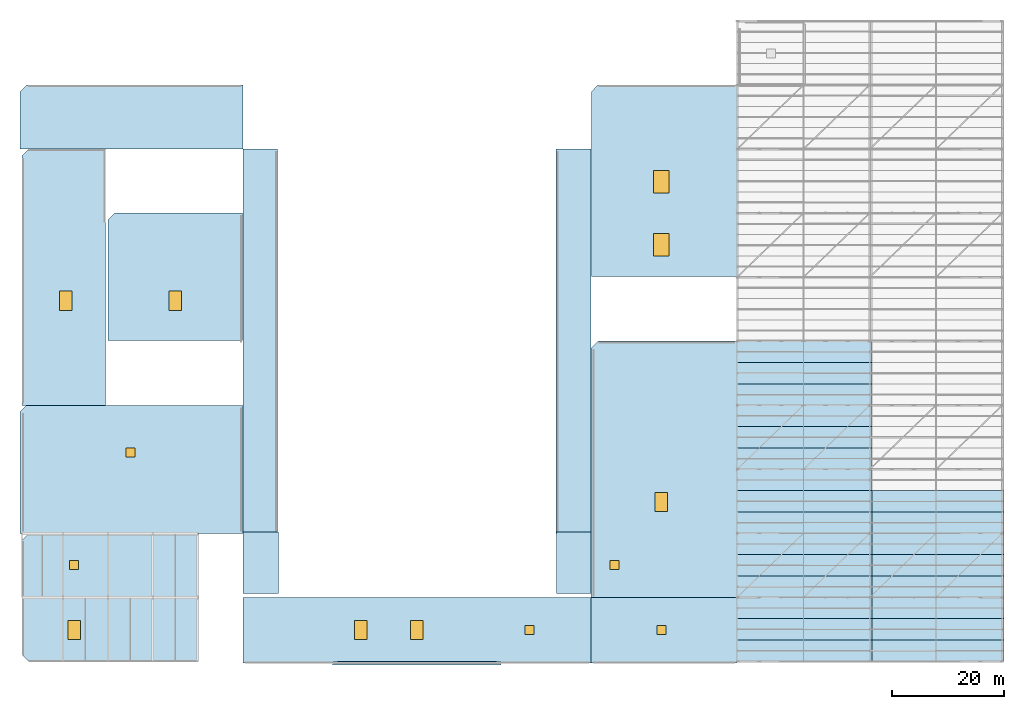
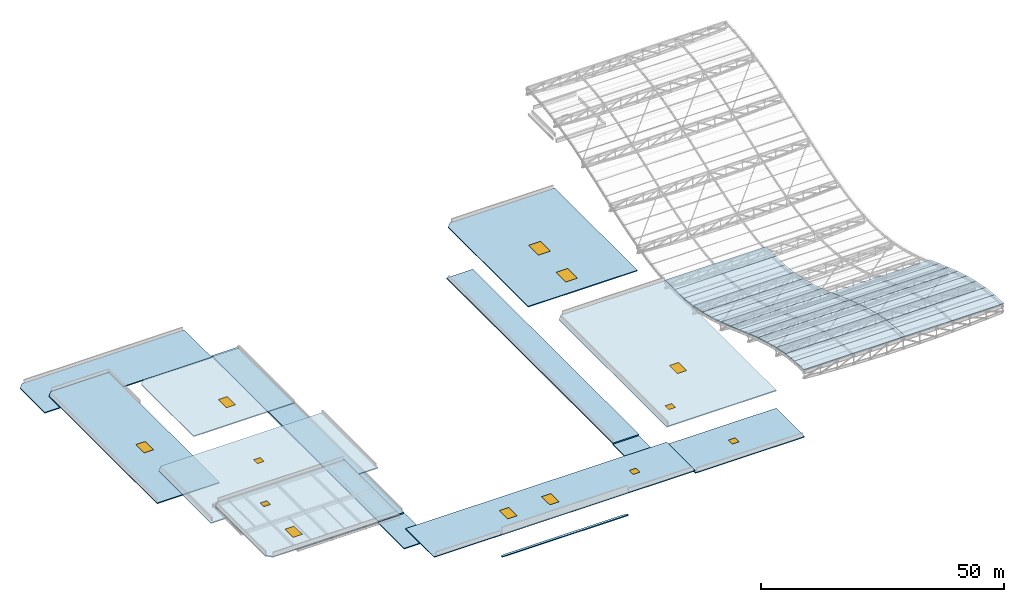
"""IFC4 building model written with IfcOpenShell, lengths in metres."""

from ifc_helpers import new_model, si_unit, direction, frame, origin, origin_2d, place, context, subcontext, project, spatial, polyline, rectangle, outline, extrude, material, layer, layer_set, type_object, element, fill, save


model = new_model("IFC4")

# Units and contexts
model_context = context("Model", 3, precision=1e-05, world=origin(), true_north=direction((0.0, 1.0)))
body_context = subcontext(model_context, "Body", "Model", "MODEL_VIEW")
ifc_project = project(units=[si_unit("LENGTHUNIT", "METRE"), si_unit("AREAUNIT", "SQUARE_METRE"), si_unit("VOLUMEUNIT", "CUBIC_METRE"), si_unit("PLANEANGLEUNIT", "RADIAN"), si_unit("MASSUNIT", "GRAM", prefix="KILO"), si_unit("POWERUNIT", "WATT"), si_unit("THERMODYNAMICTEMPERATUREUNIT", "KELVIN")], contexts=[model_context])

# Site, building, storey
site_placement = place(None, origin())
site = spatial("IfcSite", under=ifc_project, at=site_placement, CompositionType="ELEMENT")
building_placement = place(site_placement, origin())
building = spatial("IfcBuilding", under=site, at=building_placement, Name="Kelmbourne Parkland Aquatics Centre", CompositionType="ELEMENT")
storey_1_placement = place(building_placement, frame((0.0, 0.0, 27.0)))
storey_1 = spatial("IfcBuildingStorey", under=building, at=storey_1_placement, Name="RF", CompositionType="ELEMENT", Elevation=27.0)

# Slabs
ifc_material_1 = material(Name="Concrete C40/50", Category="concrete")
ifc_layer_1 = layer(ifc_material_1, 0.300048828125)
ifc_layer_set_1 = layer_set([ifc_layer_1], Name="Concrete C40/50")
slab_type_1 = type_object("IfcSlabType", Name="SL-CAN", PredefinedType="ROOF", material=ifc_layer_set_1)
slab_1_placement = place(storey_1_placement, frame((0.0, 0.0, -21.840087890625)))
element("IfcSlab", 1, at=slab_1_placement, inside=storey_1, type_object=slab_type_1, Name="Flat companion roof slab ROOF-V3-CANOPY", PredefinedType="ROOF", context=body_context, shape_type="SweptSolid", body=[
    extrude(outline(polyline([(56.0, 0.199951171875), (86.0, 0.199951171875), (86.0, 0.64990234375), (84.800048828125, 0.780029296875), (57.199951171875, 0.780029296875), (56.0, 0.64990234375), (56.0, 0.199951171875)])), origin(), (0.0, 0.0, 1.0), 0.239990234375),
])
slab_2_placement = place(storey_1_placement, frame((0.0, 0.0, -21.5)))
element("IfcSlab", 2, at=slab_2_placement, inside=storey_1, type_object=slab_type_1, Name="Flat companion roof slab ROOF-V6-WEST", PredefinedType="ROOF", context=body_context, shape_type="SweptSolid", body=[
    extrude(outline(polyline([(40.0, 23.60009765625), (46.199951171875, 23.60009765625), (46.199951171875, 92.0), (40.0, 92.0), (40.0, 23.60009765625)])), origin(), (0.0, 0.0, 1.0), 0.300048828125),
])
slab_3_placement = place(storey_1_placement, frame((0.0, 0.0, -21.5)))
element("IfcSlab", 3, at=slab_3_placement, inside=storey_1, type_object=slab_type_1, Name="Flat companion roof slab ROOF-V6-EAST", PredefinedType="ROOF", context=body_context, shape_type="SweptSolid", body=[
    extrude(outline(polyline([(95.800048828125, 23.60009765625), (102.0, 23.60009765625), (102.0, 92.0), (95.800048828125, 92.0), (95.800048828125, 23.60009765625)])), origin(), (0.0, 0.0, 1.0), 0.300048828125),
])
ifc_layer_2 = layer(ifc_material_1, 0.159912109375)
ifc_layer_set_2 = layer_set([ifc_layer_2], Name="Concrete C40/50")
slab_type_2 = type_object("IfcSlabType", Name="SL-RF1", PredefinedType="ROOF", material=ifc_layer_set_2)
slab_4_placement = place(storey_1_placement, frame((128.0, 0.800048828125, -0.199951171875), z_axis=(0.0, 0.040185951091, 0.999192218412), x_axis=(1.0, 0.0, 0.0)))
element("IfcSlab", 4, at=slab_4_placement, inside=storey_1, type_object=slab_type_2, Name="Natatorium wave roof deck facet S01-H1", PredefinedType="ROOF", context=body_context, shape_type="SweptSolid", body=[
    extrude(outline(polyline([(0.0, 0.0), (24.0, 0.0), (24.0, 3.803120919180744), (0.0, 3.803120919180744), (0.0, 0.0)])), origin(), (0.0, 0.0, -1.0), 0.159912109375),
])
slab_5_placement = place(storey_1_placement, frame((152.0, 0.800048828125, -0.199951171875), z_axis=(0.0, 0.040185951091, 0.999192218412), x_axis=(1.0, 0.0, 0.0)))
element("IfcSlab", 5, at=slab_5_placement, inside=storey_1, type_object=slab_type_2, Name="Natatorium wave roof deck facet S01-H2", PredefinedType="ROOF", context=body_context, shape_type="SweptSolid", body=[
    extrude(outline(polyline([(0.0, 0.0), (23.5, 0.0), (23.5, 3.803120919180744), (0.0, 3.803120919180744), (0.0, 0.0)])), origin(), (0.0, 0.0, -1.0), 0.159912109375),
])
slab_6_placement = place(storey_1_placement, frame((128.0, 4.60009765625, -0.352783203125), z_axis=(0.0, 0.117970231122, 0.993017132062), x_axis=(1.0, 0.0, 0.0)))
element("IfcSlab", 6, at=slab_6_placement, inside=storey_1, type_object=slab_type_2, Name="Natatorium wave roof deck facet S02-H1", PredefinedType="ROOF", context=body_context, shape_type="SweptSolid", body=[
    extrude(outline(polyline([(0.0, 0.0), (24.0, 0.0), (24.0, 3.8265248048731793), (0.0, 3.8265248048731793), (0.0, 0.0)])), origin(), (0.0, 0.0, -1.0), 0.159912109375),
])
slab_7_placement = place(storey_1_placement, frame((152.0, 4.60009765625, -0.352783203125), z_axis=(0.0, 0.117970231122, 0.993017132062), x_axis=(1.0, 0.0, 0.0)))
element("IfcSlab", 7, at=slab_7_placement, inside=storey_1, type_object=slab_type_2, Name="Natatorium wave roof deck facet S02-H2", PredefinedType="ROOF", context=body_context, shape_type="SweptSolid", body=[
    extrude(outline(polyline([(0.0, 0.0), (23.5, 0.0), (23.5, 3.826524804873179), (0.0, 3.826524804873179), (0.0, 0.0)])), origin(), (0.0, 0.0, -1.0), 0.159912109375),
])
slab_8_placement = place(storey_1_placement, frame((128.0, 8.39990234375, -0.80419921875), z_axis=(0.0, 0.187796398555, 0.982207978327), x_axis=(1.0, 0.0, 0.0)))
element("IfcSlab", 8, at=slab_8_placement, inside=storey_1, type_object=slab_type_2, Name="Natatorium wave roof deck facet S03-H1", PredefinedType="ROOF", context=body_context, shape_type="SweptSolid", body=[
    extrude(outline(polyline([(0.0, 0.0), (24.0, 0.0), (24.0, 3.868884097842741), (0.0, 3.868884097842741), (0.0, 0.0)])), origin(), (0.0, 0.0, -1.0), 0.159912109375),
])
slab_9_placement = place(storey_1_placement, frame((152.0, 8.39990234375, -0.80419921875), z_axis=(0.0, 0.187796398555, 0.982207978327), x_axis=(1.0, 0.0, 0.0)))
element("IfcSlab", 9, at=slab_9_placement, inside=storey_1, type_object=slab_type_2, Name="Natatorium wave roof deck facet S03-H2", PredefinedType="ROOF", context=body_context, shape_type="SweptSolid", body=[
    extrude(outline(polyline([(0.0, 0.0), (23.5, 0.0), (23.5, 3.868884097842741), (0.0, 3.868884097842741), (0.0, 0.0)])), origin(), (0.0, 0.0, -1.0), 0.159912109375),
])
slab_10_placement = place(storey_1_placement, frame((128.0, 12.199951171875, -1.53076171875), z_axis=(0.0, 0.246328396193, 0.96918642233), x_axis=(1.0, 0.0, 0.0)))
element("IfcSlab", 10, at=slab_10_placement, inside=storey_1, type_object=slab_type_2, Name="Natatorium wave roof deck facet S04-H1", PredefinedType="ROOF", context=body_context, shape_type="SweptSolid", body=[
    extrude(outline(polyline([(0.0, 0.0), (24.0, 0.0), (24.0, 3.920864696998837), (0.0, 3.920864696998837), (0.0, 0.0)])), origin(), (0.0, 0.0, -1.0), 0.159912109375),
])
slab_11_placement = place(storey_1_placement, frame((152.0, 12.199951171875, -1.53076171875), z_axis=(0.0, 0.246328396193, 0.96918642233), x_axis=(1.0, 0.0, 0.0)))
element("IfcSlab", 11, at=slab_11_placement, inside=storey_1, type_object=slab_type_2, Name="Natatorium wave roof deck facet S04-H2", PredefinedType="ROOF", context=body_context, shape_type="SweptSolid", body=[
    extrude(outline(polyline([(0.0, 0.0), (23.5, 0.0), (23.5, 3.920864696998837), (0.0, 3.920864696998837), (0.0, 0.0)])), origin(), (0.0, 0.0, -1.0), 0.159912109375),
])
slab_12_placement = place(storey_1_placement, frame((128.0, 16.0, -2.49658203125), z_axis=(0.0, 0.291208084294, 0.956659736605), x_axis=(1.0, 0.0, 0.0)))
element("IfcSlab", 12, at=slab_12_placement, inside=storey_1, type_object=slab_type_2, Name="Natatorium wave roof deck facet S05-H1", PredefinedType="ROOF", context=body_context, shape_type="SweptSolid", body=[
    extrude(outline(polyline([(0.0, 0.0), (24.0, 0.0), (24.0, 3.97220524991388), (0.0, 3.97220524991388), (0.0, 0.0)])), origin(), (0.0, 0.0, -1.0), 0.159912109375),
])
slab_13_placement = place(storey_1_placement, frame((152.0, 16.0, -2.49658203125), z_axis=(0.0, 0.291208084294, 0.956659736605), x_axis=(1.0, 0.0, 0.0)))
element("IfcSlab", 13, at=slab_13_placement, inside=storey_1, type_object=slab_type_2, Name="Natatorium wave roof deck facet S05-H2", PredefinedType="ROOF", context=body_context, shape_type="SweptSolid", body=[
    extrude(outline(polyline([(0.0, 0.0), (23.5, 0.0), (23.5, 3.9722052499138805), (0.0, 3.9722052499138805), (0.0, 0.0)])), origin(), (0.0, 0.0, -1.0), 0.159912109375),
])
slab_14_placement = place(storey_1_placement, frame((128.0, 19.800048828125, -3.6533203125), z_axis=(0.0, 0.321297319029, 0.946978369756), x_axis=(1.0, 0.0, 0.0)))
element("IfcSlab", 14, at=slab_14_placement, inside=storey_1, type_object=slab_type_2, Name="Natatorium wave roof deck facet S06-H1", PredefinedType="ROOF", context=body_context, shape_type="SweptSolid", body=[
    extrude(outline(polyline([(0.0, 0.0), (24.0, 0.0), (24.0, 4.0128148112881945), (0.0, 4.0128148112881945), (0.0, 0.0)])), origin(), (0.0, 0.0, -1.0), 0.159912109375),
])
slab_15_placement = place(storey_1_placement, frame((152.0, 19.800048828125, -3.6533203125), z_axis=(0.0, 0.321297319029, 0.946978369756), x_axis=(1.0, 0.0, 0.0)))
element("IfcSlab", 15, at=slab_15_placement, inside=storey_1, type_object=slab_type_2, Name="Natatorium wave roof deck facet S06-H2", PredefinedType="ROOF", context=body_context, shape_type="SweptSolid", body=[
    extrude(outline(polyline([(0.0, 0.0), (23.5, 0.0), (23.5, 4.0128148112881945), (0.0, 4.0128148112881945), (0.0, 0.0)])), origin(), (0.0, 0.0, -1.0), 0.159912109375),
])
slab_16_placement = place(storey_1_placement, frame((128.0, 23.60009765625, -4.942626953125), z_axis=(0.0, 0.336413055, 0.941714530219), x_axis=(1.0, 0.0, 0.0)))
element("IfcSlab", 16, at=slab_16_placement, inside=storey_1, type_object=slab_type_2, Name="Natatorium wave roof deck facet S07-H1", PredefinedType="ROOF", context=body_context, shape_type="SweptSolid", body=[
    extrude(outline(polyline([(0.0, 0.0), (24.0, 0.0), (24.0, 4.034985726105544), (0.0, 4.034985726105544), (0.0, 0.0)])), origin(), (0.0, 0.0, -1.0), 0.159912109375),
])
slab_17_placement = place(storey_1_placement, frame((152.0, 23.60009765625, -4.942626953125), z_axis=(0.0, 0.336413055, 0.941714530219), x_axis=(1.0, 0.0, 0.0)))
element("IfcSlab", 17, at=slab_17_placement, inside=storey_1, type_object=slab_type_2, Name="Natatorium wave roof deck facet S07-H2", PredefinedType="ROOF", context=body_context, shape_type="SweptSolid", body=[
    extrude(outline(polyline([(0.0, 0.0), (23.5, 0.0), (23.5, 4.034985726105544), (0.0, 4.034985726105544), (0.0, 0.0)])), origin(), (0.0, 0.0, -1.0), 0.159912109375),
])
slab_18_placement = place(storey_1_placement, frame((128.0, 27.39990234375, -6.300048828125), z_axis=(0.0, 0.336393887433, 0.941721377318), x_axis=(1.0, 0.0, 0.0)))
element("IfcSlab", 18, at=slab_18_placement, inside=storey_1, type_object=slab_type_2, Name="Natatorium wave roof deck facet S08-H1", PredefinedType="ROOF", context=body_context, shape_type="SweptSolid", body=[
    extrude(outline(polyline([(0.0, 0.0), (24.0, 0.0), (24.0, 4.035215637715375), (0.0, 4.035215637715375), (0.0, 0.0)])), origin(), (0.0, 0.0, -1.0), 0.159912109375),
])
slab_19_placement = place(storey_1_placement, frame((152.0, 27.39990234375, -6.300048828125), z_axis=(0.0, 0.336393887433, 0.941721377318), x_axis=(1.0, 0.0, 0.0)))
element("IfcSlab", 19, at=slab_19_placement, inside=storey_1, type_object=slab_type_2, Name="Natatorium wave roof deck facet S08-H2", PredefinedType="ROOF", context=body_context, shape_type="SweptSolid", body=[
    extrude(outline(polyline([(0.0, 0.0), (23.5, 0.0), (23.5, 4.035215637715376), (0.0, 4.035215637715376), (0.0, 0.0)])), origin(), (0.0, 0.0, -1.0), 0.159912109375),
])
slab_20_placement = place(storey_1_placement, frame((128.0, 31.199951171875, -7.657470703125), z_axis=(0.0, 0.321297319029, 0.946978369756), x_axis=(1.0, 0.0, 0.0)))
element("IfcSlab", 20, at=slab_20_placement, inside=storey_1, type_object=slab_type_2, Name="Natatorium wave roof deck facet S09-H1", PredefinedType="ROOF", context=body_context, shape_type="SweptSolid", body=[
    extrude(outline(polyline([(0.0, 0.0), (24.0, 0.0), (24.0, 4.0128148112881945), (0.0, 4.0128148112881945), (0.0, 0.0)])), origin(), (0.0, 0.0, -1.0), 0.159912109375),
])
slab_21_placement = place(storey_1_placement, frame((128.0, 35.0, -8.94677734375), z_axis=(0.0, 0.291151832676, 0.956676857842), x_axis=(1.0, 0.0, 0.0)))
element("IfcSlab", 21, at=slab_21_placement, inside=storey_1, type_object=slab_type_2, Name="Natatorium wave roof deck facet S10-H1", PredefinedType="ROOF", context=body_context, shape_type="SweptSolid", body=[
    extrude(outline(polyline([(0.0, 0.0), (24.0, 0.0), (24.0, 3.9721341610567666), (0.0, 3.9721341610567666), (0.0, 0.0)])), origin(), (0.0, 0.0, -1.0), 0.159912109375),
])
slab_22_placement = place(storey_1_placement, frame((128.0, 38.800048828125, -10.103271484375), z_axis=(0.0, 0.246328396193, 0.96918642233), x_axis=(1.0, 0.0, 0.0)))
element("IfcSlab", 22, at=slab_22_placement, inside=storey_1, type_object=slab_type_2, Name="Natatorium wave roof deck facet S11-H1", PredefinedType="ROOF", context=body_context, shape_type="SweptSolid", body=[
    extrude(outline(polyline([(0.0, 0.0), (24.0, 0.0), (24.0, 3.920864696998837), (0.0, 3.920864696998837), (0.0, 0.0)])), origin(), (0.0, 0.0, -1.0), 0.159912109375),
])
slab_23_placement = place(storey_1_placement, frame((128.0, 42.60009765625, -11.069091796875), z_axis=(0.0, 0.187868919588, 0.982194109661), x_axis=(1.0, 0.0, 0.0)))
element("IfcSlab", 23, at=slab_23_placement, inside=storey_1, type_object=slab_type_2, Name="Natatorium wave roof deck facet S12-H1", PredefinedType="ROOF", context=body_context, shape_type="SweptSolid", body=[
    extrude(outline(polyline([(0.0, 0.0), (24.0, 0.0), (24.0, 3.8686901602485007), (0.0, 3.8686901602485007), (0.0, 0.0)])), origin(), (0.0, 0.0, -1.0), 0.159912109375),
])
slab_24_placement = place(storey_1_placement, frame((128.0, 46.39990234375, -11.7958984375), z_axis=(0.0, 0.117899846309, 0.993025491234), x_axis=(1.0, 0.0, 0.0)))
element("IfcSlab", 24, at=slab_24_placement, inside=storey_1, type_object=slab_type_2, Name="Natatorium wave roof deck facet S13-H1", PredefinedType="ROOF", context=body_context, shape_type="SweptSolid", body=[
    extrude(outline(polyline([(0.0, 0.0), (24.0, 0.0), (24.0, 3.8267384489830505), (0.0, 3.8267384489830505), (0.0, 0.0)])), origin(), (0.0, 0.0, -1.0), 0.159912109375),
])
slab_25_placement = place(storey_1_placement, frame((128.0, 50.199951171875, -12.2470703125), z_axis=(0.0, 0.040185951091, 0.999192218412), x_axis=(1.0, 0.0, 0.0)))
element("IfcSlab", 25, at=slab_25_placement, inside=storey_1, type_object=slab_type_2, Name="Natatorium wave roof deck facet S14-H1", PredefinedType="ROOF", context=body_context, shape_type="SweptSolid", body=[
    extrude(outline(polyline([(0.0, 0.0), (24.0, 0.0), (24.0, 3.803120919180744), (0.0, 3.803120919180744), (0.0, 0.0)])), origin(), (0.0, 0.0, -1.0), 0.159912109375),
])
slab_26_placement = place(storey_1_placement, frame((128.0, 54.0, -12.39990234375), z_axis=(0.0, -0.035826647923, 0.99935801958), x_axis=(1.0, 0.0, 0.0)))
element("IfcSlab", 26, at=slab_26_placement, inside=storey_1, type_object=slab_type_2, Name="Natatorium wave roof deck facet S15-H1", PredefinedType="ROOF", context=body_context, shape_type="SweptSolid", body=[
    extrude(outline(polyline([(0.0, 0.0), (24.0, 0.0), (24.0, 3.8024899522221003), (0.0, 3.8024899522221003), (0.0, 0.0)])), origin(), (0.0, 0.0, -1.0), 0.159912109375),
])
ifc_layer_3 = layer(ifc_material_1, 0.239990234375)
ifc_layer_set_3 = layer_set([ifc_layer_3], Name="Concrete C40/50")
slab_type_3 = type_object("IfcSlabType", Name="SL-RF2", PredefinedType="ROOF", material=ifc_layer_set_3)
slab_27_placement = place(storey_1_placement, frame((0.0, 0.0, -21.840087890625)))
element("IfcSlab", 27, at=slab_27_placement, inside=storey_1, type_object=slab_type_3, Name="Flat companion roof slab ROOF-V3-FOREW", PredefinedType="ROOF", context=body_context, shape_type="SweptSolid", body=[
    extrude(outline(polyline([(40.0, 12.85009765625), (46.39990234375, 12.85009765625), (46.39990234375, 23.800048828125), (40.0, 23.800048828125), (40.0, 12.85009765625)])), origin(), (0.0, 0.0, 1.0), 0.239990234375),
])
slab_28_placement = place(storey_1_placement, frame((0.0, 0.0, -21.840087890625)))
element("IfcSlab", 28, at=slab_28_placement, inside=storey_1, type_object=slab_type_3, Name="Flat companion roof slab ROOF-V3-FOREE", PredefinedType="ROOF", context=body_context, shape_type="SweptSolid", body=[
    extrude(outline(polyline([(95.85009765625, 12.85009765625), (102.0, 12.85009765625), (102.0, 23.800048828125), (95.85009765625, 23.800048828125), (95.85009765625, 12.85009765625)])), origin(), (0.0, 0.0, 1.0), 0.239990234375),
])
slab_29_placement = place(storey_1_placement, frame((0.0, 0.0, -21.840087890625)))
element("IfcSlab", 29, at=slab_29_placement, inside=storey_1, type_object=slab_type_3, Name="Flat companion roof slab ROOF-V5-N0", PredefinedType="ROOF", context=body_context, shape_type="SweptSolid", body=[
    extrude(outline(polyline([(0.35009765625, 92.0), (40.0, 92.0), (40.0, 103.39990234375), (1.550048828125, 103.39990234375), (0.35009765625, 102.199951171875), (0.35009765625, 92.0)])), origin(), (0.0, 0.0, 1.0), 0.239990234375),
])

# Slab, opening
slab_30_placement = place(storey_1_placement, frame((0.0, 0.0, -17.0400390625)))
slab_30 = element("IfcSlab", 30, at=slab_30_placement, inside=storey_1, type_object=slab_type_3, Name="Flat companion roof slab ROOF-V5-W1", PredefinedType="ROOF", context=body_context, shape_type="SweptSolid", body=[
    extrude(outline(polyline([(0.699951171875, 46.39990234375), (15.550048828125, 46.39990234375), (15.550048828125, 92.0), (1.85009765625, 92.0), (0.699951171875, 90.85009765625), (0.699951171875, 46.39990234375)])), origin(), (0.0, 0.0, 1.0), 0.239990234375),
])
opening_1_placement = place(slab_30_placement, frame((8.5, 65.0, 0.0)))
opening_1 = element("IfcOpeningElement", 31, at=opening_1_placement, cuts=slab_30, Name="Opening SKY1", PredefinedType="OPENING", context=body_context, shape_type="SweptSolid", body=[
    extrude(rectangle(XDim=2.199951171875, YDim=3.39990234375, at=origin_2d()), frame((0.0, 0.0, -0.011962890625)), (0.0, 0.0, 1.0), 0.263916015625),
])

# Storey
storey_2_placement = place(building_placement, frame((0.0, 0.0, 5.39990234375)))
storey_2 = spatial("IfcBuildingStorey", under=building, at=storey_2_placement, Name="L01", CompositionType="ELEMENT", Elevation=5.39990234375)

# Window
ifc_material_2 = material(Name="Double-glazed low-e laminated safety glass", Category="glass")
ifc_layer_4 = layer(ifc_material_2, 0.1201171875)
ifc_layer_set_4 = layer_set([ifc_layer_4], Name="Double-glazed low-e laminated safety glass")
window_type_1 = type_object("IfcWindowType", Name="WN-SKY-1", PartitioningType="SINGLE_PANEL", PredefinedType="SKYLIGHT", material=ifc_layer_set_4)
window_1_placement = place(opening_1_placement, frame((0.0, 0.0, 0.18994140625)))
window_1 = element("IfcWindow", 32, at=window_1_placement, inside=storey_2, type_object=window_type_1, Name="Roof skylight SKY-08", OverallHeight=3.39990234375, OverallWidth=2.199951171875, PartitioningType="SINGLE_PANEL", PredefinedType="SKYLIGHT", context=body_context, shape_type="SweptSolid", body=[
    extrude(rectangle(XDim=2.199951171875, YDim=3.39990234375, at=origin_2d()), origin(), (0.0, 0.0, 1.0), 0.050048828125),
])

fill(opening_1, window_1)

# Slab, openings, windows
slab_31_placement = place(storey_1_placement, frame((0.0, 0.0, -16.43994140625)))
slab_31 = element("IfcSlab", 33, at=slab_31_placement, inside=storey_1, type_object=slab_type_3, Name="Flat companion roof slab ROOF-V3-MAIN", PredefinedType="ROOF", context=body_context, shape_type="SweptSolid", body=[
    extrude(outline(polyline([(40.0, 0.5), (102.0, 0.5), (102.0, 12.199951171875), (40.0, 12.199951171875), (40.0, 0.5)])), origin(), (0.0, 0.0, 1.0), 0.239990234375),
])
opening_2_placement = place(slab_31_placement, frame((61.0, 6.39990234375, 0.0)))
opening_2 = element("IfcOpeningElement", 34, at=opening_2_placement, cuts=slab_31, Name="Opening SKY1", PredefinedType="OPENING", context=body_context, shape_type="SweptSolid", body=[
    extrude(rectangle(XDim=2.199951171875, YDim=3.39990234375, at=origin_2d()), frame((0.0, 0.0, -0.011962890625)), (0.0, 0.0, 1.0), 0.263916015625),
])
opening_3_placement = place(slab_31_placement, frame((71.0, 6.39990234375, 0.0)))
opening_3 = element("IfcOpeningElement", 35, at=opening_3_placement, cuts=slab_31, Name="Opening SKY1", PredefinedType="OPENING", context=body_context, shape_type="SweptSolid", body=[
    extrude(rectangle(XDim=2.199951171875, YDim=3.39990234375, at=origin_2d()), frame((0.0, 0.0, -0.011962890625)), (0.0, 0.0, 1.0), 0.263916015625),
])
opening_4_placement = place(slab_31_placement, frame((91.0, 6.39990234375, 0.0)))
opening_4 = element("IfcOpeningElement", 36, at=opening_4_placement, cuts=slab_31, Name="Opening LDM1", PredefinedType="OPENING", context=body_context, shape_type="SweptSolid", body=[
    extrude(rectangle(XDim=1.60009765625, YDim=1.60009765625, at=origin_2d()), frame((0.0, 0.0, -0.011962890625)), (0.0, 0.0, 1.0), 0.263916015625),
])
ifc_layer_5 = layer(ifc_material_2, 0.139892578125)
ifc_layer_set_5 = layer_set([ifc_layer_5], Name="Double-glazed low-e laminated safety glass")
window_type_2 = type_object("IfcWindowType", Name="WN-DOME-1", PartitioningType="SINGLE_PANEL", PredefinedType="LIGHTDOME", material=ifc_layer_set_5)
window_2_placement = place(opening_4_placement, frame((0.0, 0.0, 0.18994140625)))
window_2 = element("IfcWindow", 37, at=window_2_placement, inside=storey_2, type_object=window_type_2, Name="Roof lightdome LDM-01", OverallHeight=1.60009765625, OverallWidth=1.60009765625, PartitioningType="SINGLE_PANEL", PredefinedType="LIGHTDOME", context=body_context, shape_type="SweptSolid", body=[
    extrude(rectangle(XDim=1.60009765625, YDim=1.60009765625, at=origin_2d()), origin(), (0.0, 0.0, 1.0), 0.050048828125),
])
fill(opening_4, window_2)
window_3_placement = place(opening_2_placement, frame((0.0, 0.0, 0.18994140625)))
window_3 = element("IfcWindow", 38, at=window_3_placement, inside=storey_2, type_object=window_type_1, Name="Roof skylight SKY-01", OverallHeight=3.39990234375, OverallWidth=2.199951171875, PartitioningType="SINGLE_PANEL", PredefinedType="SKYLIGHT", context=body_context, shape_type="SweptSolid", body=[
    extrude(rectangle(XDim=2.199951171875, YDim=3.39990234375, at=origin_2d()), origin(), (0.0, 0.0, 1.0), 0.050048828125),
])
fill(opening_2, window_3)
window_4_placement = place(opening_3_placement, frame((0.0, 0.0, 0.18994140625)))
window_4 = element("IfcWindow", 39, at=window_4_placement, inside=storey_2, type_object=window_type_1, Name="Roof skylight SKY-02", OverallHeight=3.39990234375, OverallWidth=2.199951171875, PartitioningType="SINGLE_PANEL", PredefinedType="SKYLIGHT", context=body_context, shape_type="SweptSolid", body=[
    extrude(rectangle(XDim=2.199951171875, YDim=3.39990234375, at=origin_2d()), origin(), (0.0, 0.0, 1.0), 0.050048828125),
])
fill(opening_3, window_4)

# Slab, opening
slab_32_placement = place(storey_1_placement, frame((0.0, 0.0, -17.0400390625)))
slab_32 = element("IfcSlab", 40, at=slab_32_placement, inside=storey_1, type_object=slab_type_3, Name="Flat companion roof slab ROOF-V4-SOUTH", PredefinedType="ROOF", context=body_context, shape_type="SweptSolid", body=[
    extrude(outline(polyline([(102.0, 0.5), (128.0, 0.5), (128.0, 12.199951171875), (102.0, 12.199951171875), (102.0, 0.5)])), origin(), (0.0, 0.0, 1.0), 0.239990234375),
])
opening_5_placement = place(slab_32_placement, frame((114.5, 6.39990234375, 0.0)))
opening_5 = element("IfcOpeningElement", 41, at=opening_5_placement, cuts=slab_32, Name="Opening LDM1", PredefinedType="OPENING", context=body_context, shape_type="SweptSolid", body=[
    extrude(rectangle(XDim=1.60009765625, YDim=1.60009765625, at=origin_2d()), frame((0.0, 0.0, -0.011962890625)), (0.0, 0.0, 1.0), 0.263916015625),
])

# Storey
storey_3_placement = place(building_placement, origin())
storey_3 = spatial("IfcBuildingStorey", under=building, at=storey_3_placement, Name="L00", CompositionType="ELEMENT", Elevation=0.0)

# Window
window_5_placement = place(opening_5_placement, frame((0.0, 0.0, 0.18994140625)))
window_5 = element("IfcWindow", 42, at=window_5_placement, inside=storey_3, type_object=window_type_2, Name="Roof lightdome LDM-02", OverallHeight=1.60009765625, OverallWidth=1.60009765625, PartitioningType="SINGLE_PANEL", PredefinedType="LIGHTDOME", context=body_context, shape_type="SweptSolid", body=[
    extrude(rectangle(XDim=1.60009765625, YDim=1.60009765625, at=origin_2d()), origin(), (0.0, 0.0, 1.0), 0.050048828125),
])

fill(opening_5, window_5)

# Slab, openings, windows
slab_33_placement = place(storey_1_placement, frame((0.0, 0.0, -17.0400390625)))
slab_33 = element("IfcSlab", 43, at=slab_33_placement, inside=storey_1, type_object=slab_type_3, Name="Flat companion roof slab ROOF-V4-NORTH", PredefinedType="ROOF", context=body_context, shape_type="SweptSolid", body=[
    extrude(outline(polyline([(102.050048828125, 69.300048828125), (128.0, 69.300048828125), (128.0, 103.39990234375), (103.199951171875, 103.39990234375), (102.050048828125, 102.199951171875), (102.050048828125, 69.300048828125)])), origin(), (0.0, 0.0, 1.0), 0.239990234375),
])
opening_6_placement = place(slab_33_placement, frame((114.5, 75.0, 0.0)))
opening_6 = element("IfcOpeningElement", 44, at=opening_6_placement, cuts=slab_33, Name="Opening SKY2", PredefinedType="OPENING", context=body_context, shape_type="SweptSolid", body=[
    extrude(rectangle(XDim=2.800048828125, YDim=4.0, at=origin_2d()), frame((0.0, 0.0, -0.011962890625)), (0.0, 0.0, 1.0), 0.263916015625),
])
opening_7_placement = place(slab_33_placement, frame((114.5, 86.199951171875, 0.0)))
opening_7 = element("IfcOpeningElement", 45, at=opening_7_placement, cuts=slab_33, Name="Opening SKY2", PredefinedType="OPENING", context=body_context, shape_type="SweptSolid", body=[
    extrude(rectangle(XDim=2.800048828125, YDim=4.0, at=origin_2d()), frame((0.0, 0.0, -0.011962890625)), (0.0, 0.0, 1.0), 0.263916015625),
])
ifc_layer_6 = layer(ifc_material_2, 0.1201171875)
ifc_layer_set_6 = layer_set([ifc_layer_6], Name="Double-glazed low-e laminated safety glass")
window_type_3 = type_object("IfcWindowType", Name="WN-SKY-2", PartitioningType="SINGLE_PANEL", PredefinedType="SKYLIGHT", material=ifc_layer_set_6)
window_6_placement = place(opening_6_placement, frame((0.0, 0.0, 0.18994140625)))
window_6 = element("IfcWindow", 46, at=window_6_placement, inside=storey_2, type_object=window_type_3, Name="Roof skylight SKY-03", OverallHeight=4.0, OverallWidth=2.800048828125, PartitioningType="SINGLE_PANEL", PredefinedType="SKYLIGHT", context=body_context, shape_type="SweptSolid", body=[
    extrude(rectangle(XDim=2.800048828125, YDim=4.0, at=origin_2d()), origin(), (0.0, 0.0, 1.0), 0.050048828125),
])
fill(opening_6, window_6)
window_7_placement = place(opening_7_placement, frame((0.0, 0.0, 0.18994140625)))
window_7 = element("IfcWindow", 47, at=window_7_placement, inside=storey_2, type_object=window_type_3, Name="Roof skylight SKY-04", OverallHeight=4.0, OverallWidth=2.800048828125, PartitioningType="SINGLE_PANEL", PredefinedType="SKYLIGHT", context=body_context, shape_type="SweptSolid", body=[
    extrude(rectangle(XDim=2.800048828125, YDim=4.0, at=origin_2d()), origin(), (0.0, 0.0, 1.0), 0.050048828125),
])
fill(opening_7, window_7)

# Slab, openings
slab_34_placement = place(storey_1_placement, frame((0.0, 0.0, -12.5400390625)))
slab_34 = element("IfcSlab", 48, at=slab_34_placement, inside=storey_1, type_object=slab_type_3, Name="Flat companion roof slab ROOF-V4-CLUB", PredefinedType="ROOF", context=body_context, shape_type="SweptSolid", body=[
    extrude(outline(polyline([(102.0, 12.199951171875), (128.0, 12.199951171875), (128.0, 57.800048828125), (103.199951171875, 57.800048828125), (102.0, 56.60009765625), (102.0, 12.199951171875)])), origin(), (0.0, 0.0, 1.0), 0.239990234375),
])
opening_8_placement = place(slab_34_placement, frame((114.5, 29.199951171875, 0.0)))
opening_8 = element("IfcOpeningElement", 49, at=opening_8_placement, cuts=slab_34, Name="Opening SKY1", PredefinedType="OPENING", context=body_context, shape_type="SweptSolid", body=[
    extrude(rectangle(XDim=2.199951171875, YDim=3.39990234375, at=origin_2d()), frame((0.0, 0.0, -0.011962890625)), (0.0, 0.0, 1.0), 0.263916015625),
])
opening_9_placement = place(slab_34_placement, frame((106.199951171875, 18.0, 0.0)))
opening_9 = element("IfcOpeningElement", 50, at=opening_9_placement, cuts=slab_34, Name="Opening LDM1", PredefinedType="OPENING", context=body_context, shape_type="SweptSolid", body=[
    extrude(rectangle(XDim=1.60009765625, YDim=1.60009765625, at=origin_2d()), frame((0.0, 0.0, -0.011962890625)), (0.0, 0.0, 1.0), 0.263916015625),
])

# Storey
storey_4_placement = place(building_placement, frame((0.0, 0.0, 10.199951171875)))
storey_4 = spatial("IfcBuildingStorey", under=building, at=storey_4_placement, Name="L02", CompositionType="ELEMENT", Elevation=10.199951171875)

# Window
window_8_placement = place(opening_9_placement, frame((0.0, 0.0, 0.18994140625)))
window_8 = element("IfcWindow", 51, at=window_8_placement, inside=storey_4, type_object=window_type_2, Name="Roof lightdome LDM-03", OverallHeight=1.60009765625, OverallWidth=1.60009765625, PartitioningType="SINGLE_PANEL", PredefinedType="LIGHTDOME", context=body_context, shape_type="SweptSolid", body=[
    extrude(rectangle(XDim=1.60009765625, YDim=1.60009765625, at=origin_2d()), origin(), (0.0, 0.0, 1.0), 0.050048828125),
])

fill(opening_9, window_8)

window_9_placement = place(opening_8_placement, frame((0.0, 0.0, 0.18994140625)))
window_9 = element("IfcWindow", 52, at=window_9_placement, inside=storey_4, type_object=window_type_1, Name="Roof skylight SKY-05", OverallHeight=3.39990234375, OverallWidth=2.199951171875, PartitioningType="SINGLE_PANEL", PredefinedType="SKYLIGHT", context=body_context, shape_type="SweptSolid", body=[
    extrude(rectangle(XDim=2.199951171875, YDim=3.39990234375, at=origin_2d()), origin(), (0.0, 0.0, 1.0), 0.050048828125),
])

fill(opening_8, window_9)

# Slab, opening, window
slab_35_placement = place(storey_1_placement, frame((0.0, 0.0, -12.5400390625)))
slab_35 = element("IfcSlab", 53, at=slab_35_placement, inside=storey_1, type_object=slab_type_3, Name="Flat companion roof slab ROOF-V5-M2", PredefinedType="ROOF", context=body_context, shape_type="SweptSolid", body=[
    extrude(outline(polyline([(16.0, 57.89990234375), (39.949951171875, 57.89990234375), (39.949951171875, 80.60009765625), (17.199951171875, 80.60009765625), (16.0, 79.39990234375), (16.0, 57.89990234375)])), origin(), (0.0, 0.0, 1.0), 0.239990234375),
])
opening_10_placement = place(slab_35_placement, frame((28.0, 65.0, 0.0)))
opening_10 = element("IfcOpeningElement", 54, at=opening_10_placement, cuts=slab_35, Name="Opening SKY1", PredefinedType="OPENING", context=body_context, shape_type="SweptSolid", body=[
    extrude(rectangle(XDim=2.199951171875, YDim=3.39990234375, at=origin_2d()), frame((0.0, 0.0, -0.011962890625)), (0.0, 0.0, 1.0), 0.263916015625),
])
window_10_placement = place(opening_10_placement, frame((0.0, 0.0, 0.18994140625)))
window_10 = element("IfcWindow", 55, at=window_10_placement, inside=storey_4, type_object=window_type_1, Name="Roof skylight SKY-07", OverallHeight=3.39990234375, OverallWidth=2.199951171875, PartitioningType="SINGLE_PANEL", PredefinedType="SKYLIGHT", context=body_context, shape_type="SweptSolid", body=[
    extrude(rectangle(XDim=2.199951171875, YDim=3.39990234375, at=origin_2d()), origin(), (0.0, 0.0, 1.0), 0.050048828125),
])
fill(opening_10, window_10)

# Slab, opening
slab_36_placement = place(storey_1_placement, frame((0.0, 0.0, -8.0400390625)))
slab_36 = element("IfcSlab", 56, at=slab_36_placement, inside=storey_1, type_object=slab_type_3, Name="Flat companion roof slab ROOF-V5-M3", PredefinedType="ROOF", context=body_context, shape_type="SweptSolid", body=[
    extrude(outline(polyline([(0.35009765625, 23.60009765625), (40.0, 23.60009765625), (40.0, 46.39990234375), (1.550048828125, 46.39990234375), (0.35009765625, 45.199951171875), (0.35009765625, 23.60009765625)])), origin(), (0.0, 0.0, 1.0), 0.239990234375),
])
opening_11_placement = place(slab_36_placement, frame((20.0, 38.0, 0.0)))
opening_11 = element("IfcOpeningElement", 57, at=opening_11_placement, cuts=slab_36, Name="Opening LDM1", PredefinedType="OPENING", context=body_context, shape_type="SweptSolid", body=[
    extrude(rectangle(XDim=1.60009765625, YDim=1.60009765625, at=origin_2d()), frame((0.0, 0.0, -0.011962890625)), (0.0, 0.0, 1.0), 0.263916015625),
])

# Storey
storey_5_placement = place(building_placement, frame((0.0, 0.0, 14.699951171875)))
storey_5 = spatial("IfcBuildingStorey", under=building, at=storey_5_placement, Name="L03", CompositionType="ELEMENT", Elevation=14.699951171875)

# Window
window_11_placement = place(opening_11_placement, frame((0.0, 0.0, 0.18994140625)))
window_11 = element("IfcWindow", 58, at=window_11_placement, inside=storey_5, type_object=window_type_2, Name="Roof lightdome LDM-04", OverallHeight=1.60009765625, OverallWidth=1.60009765625, PartitioningType="SINGLE_PANEL", PredefinedType="LIGHTDOME", context=body_context, shape_type="SweptSolid", body=[
    extrude(rectangle(XDim=1.60009765625, YDim=1.60009765625, at=origin_2d()), origin(), (0.0, 0.0, 1.0), 0.050048828125),
])

fill(opening_11, window_11)

# Slab, openings
slab_37_placement = place(storey_1_placement, frame((0.0, 0.0, -3.239990234375)))
slab_37 = element("IfcSlab", 59, at=slab_37_placement, inside=storey_1, type_object=slab_type_3, Name="Flat companion roof slab ROOF-V5-TOP", PredefinedType="ROOF", context=body_context, shape_type="SweptSolid", body=[
    extrude(outline(polyline([(32.0, 0.800048828125), (32.0, 23.60009765625), (1.89990234375, 23.60009765625), (0.699951171875, 22.39990234375), (0.699951171875, 2.0), (1.89990234375, 0.800048828125), (32.0, 0.800048828125)])), origin(), (0.0, 0.0, 1.0), 0.239990234375),
])
opening_12_placement = place(slab_37_placement, frame((10.0, 6.39990234375, 0.0)))
opening_12 = element("IfcOpeningElement", 60, at=opening_12_placement, cuts=slab_37, Name="Opening SKY1", PredefinedType="OPENING", context=body_context, shape_type="SweptSolid", body=[
    extrude(rectangle(XDim=2.199951171875, YDim=3.39990234375, at=origin_2d()), frame((0.0, 0.0, -0.011962890625)), (0.0, 0.0, 1.0), 0.263916015625),
])
opening_13_placement = place(slab_37_placement, frame((10.0, 18.0, 0.0)))
opening_13 = element("IfcOpeningElement", 61, at=opening_13_placement, cuts=slab_37, Name="Opening LDM1", PredefinedType="OPENING", context=body_context, shape_type="SweptSolid", body=[
    extrude(rectangle(XDim=1.60009765625, YDim=1.60009765625, at=origin_2d()), frame((0.0, 0.0, -0.011962890625)), (0.0, 0.0, 1.0), 0.263916015625),
])

# Storey
storey_6_placement = place(building_placement, frame((0.0, 0.0, 19.199951171875)))
storey_6 = spatial("IfcBuildingStorey", under=building, at=storey_6_placement, Name="L04", CompositionType="ELEMENT", Elevation=19.199951171875)

# Window
window_12_placement = place(opening_13_placement, frame((0.0, 0.0, 0.18994140625)))
window_12 = element("IfcWindow", 62, at=window_12_placement, inside=storey_6, type_object=window_type_2, Name="Roof lightdome LDM-05", OverallHeight=1.60009765625, OverallWidth=1.60009765625, PartitioningType="SINGLE_PANEL", PredefinedType="LIGHTDOME", context=body_context, shape_type="SweptSolid", body=[
    extrude(rectangle(XDim=1.60009765625, YDim=1.60009765625, at=origin_2d()), origin(), (0.0, 0.0, 1.0), 0.050048828125),
])

fill(opening_13, window_12)

window_13_placement = place(opening_12_placement, frame((0.0, 0.0, 0.18994140625)))
window_13 = element("IfcWindow", 63, at=window_13_placement, inside=storey_6, type_object=window_type_1, Name="Roof skylight SKY-06", OverallHeight=3.39990234375, OverallWidth=2.199951171875, PartitioningType="SINGLE_PANEL", PredefinedType="SKYLIGHT", context=body_context, shape_type="SweptSolid", body=[
    extrude(rectangle(XDim=2.199951171875, YDim=3.39990234375, at=origin_2d()), origin(), (0.0, 0.0, 1.0), 0.050048828125),
])

fill(opening_12, window_13)

save(model, "model.ifc")
